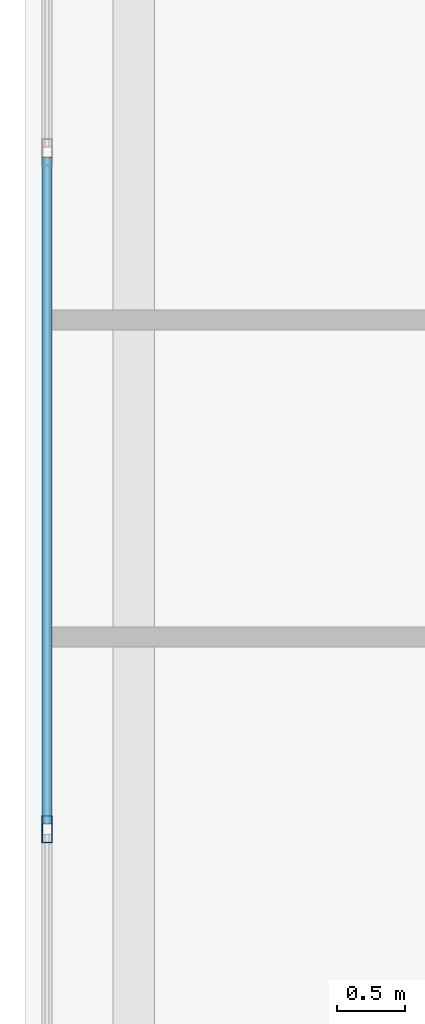
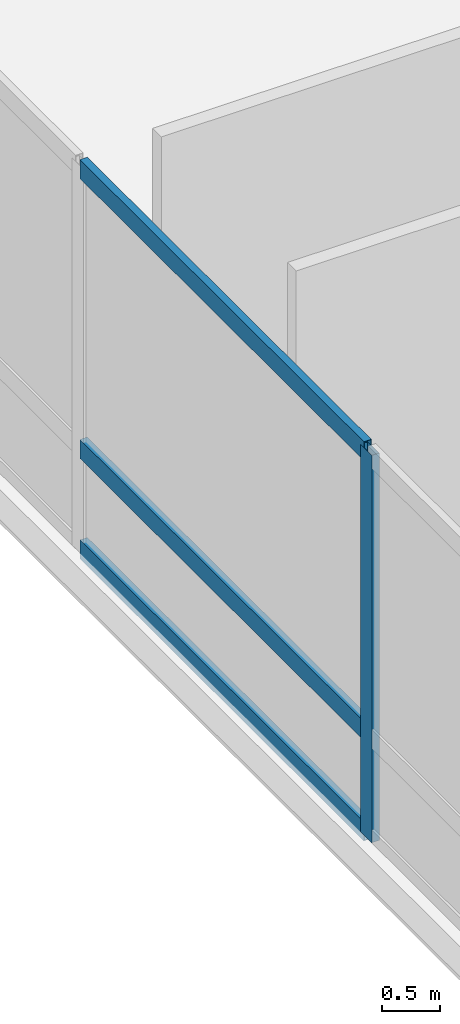
# One storey, part 6 of 31: 4 members, 1 element without a shape of its own.
"""IFC4 building model written with IfcOpenShell, lengths in metres."""

from ifc_helpers import new_model, si_unit, direction, frame, origin, origin_2d, place, context, subcontext, project, spatial, hollow_rectangle, extrude, material, layer, layer_set, material_profile, profile_set, type_object, element, aggregate, save


model = new_model("IFC4")

# Units and contexts
model_context = context("Model", 3, precision=1e-05, world=origin(), true_north=direction((0.0, 1.0)))
body_context = subcontext(model_context, "Body", "Model", "MODEL_VIEW")
ifc_project = project(units=[si_unit("LENGTHUNIT", "METRE"), si_unit("AREAUNIT", "SQUARE_METRE"), si_unit("VOLUMEUNIT", "CUBIC_METRE"), si_unit("PLANEANGLEUNIT", "RADIAN"), si_unit("MASSUNIT", "GRAM", prefix="KILO")], contexts=[model_context])

# Site, building, storey
site_placement = place(None, origin())
site = spatial("IfcSite", under=ifc_project, at=site_placement, CompositionType="ELEMENT")
building_placement = place(site_placement, origin())
building = spatial("IfcBuilding", under=site, at=building_placement, Name="Varnelok Gate Tower", CompositionType="ELEMENT")
storey_placement = place(building_placement, frame((0.0, 0.0, 21.60009765625)))
storey = spatial("IfcBuildingStorey", under=building, at=storey_placement, Name="L04", CompositionType="ELEMENT", Elevation=21.60009765625)

# Curtain wall, members
ifc_material = material(Name="Anodized Aluminum Alloy 6063-T6", Category="aluminium")
ifc_layer = layer(ifc_material, 0.179931640625)
ifc_layer_set = layer_set([ifc_layer], Name="Anodized Aluminum Alloy 6063-T6")
curtain_wall_type = type_object("IfcCurtainWallType", Name="CW1-ARCH-PORTAL", PredefinedType="USERDEFINED", material=ifc_layer_set)
curtain_wall_placement = place(storey_placement, origin())
curtain_wall = element("IfcCurtainWall", 1, at=curtain_wall_placement, inside=storey, type_object=curtain_wall_type, Name="L04 Podium Portal Curtain Wall W", ObjectType="UNITISED CURTAIN WALL", PredefinedType="USERDEFINED")
ifc_material_profile_1 = material_profile(ifc_material, hollow_rectangle(XDim=0.074951171875, YDim=0.199951171875, WallThickness=0.00390625, at=origin_2d()), Name="ALU200X75X4")
ifc_profile_set_1 = profile_set([ifc_material_profile_1], Name="Anodized Aluminum Alloy 6063-T6")
member_type_1 = type_object("IfcMemberType", Name="CW-MULL-200", PredefinedType="MULLION", material=ifc_profile_set_1)
member_1_placement = place(storey_placement, frame((0.159912109375, 25.199951171875, 0.0), z_axis=(0.0, 0.0, 1.0), x_axis=(-1.0, 0.0, 0.0)))
member_1 = element("IfcMember", 2, at=member_1_placement, type_object=member_type_1, Name="CW1 mullion 3", PredefinedType="MULLION", context=body_context, shape_type="SweptSolid", body=[
    extrude(hollow_rectangle(XDim=0.074951171875, YDim=0.199951171875, WallThickness=0.00390625, at=origin_2d()), origin(), (0.0, 0.0, 1.0), 4.099853515625),
])
ifc_material_profile_2 = material_profile(ifc_material, hollow_rectangle(XDim=0.074951171875, YDim=0.199951171875, WallThickness=0.00390625, at=origin_2d()), Name="ALU200X75X4")
ifc_profile_set_2 = profile_set([ifc_material_profile_2], Name="Anodized Aluminum Alloy 6063-T6")
member_type_2 = type_object("IfcMemberType", Name="CW-TRAN-200", PredefinedType="USERDEFINED", material=ifc_profile_set_2)
member_2_placement = place(storey_placement, frame((0.159912109375, 25.237548828125, 0.037353515625), z_axis=(0.0, 1.0, 0.0), x_axis=(-1.0, 0.0, 0.0)))
member_2 = element("IfcMember", 3, at=member_2_placement, type_object=member_type_2, Name="CW1 transom 3.1", ObjectType="TRANSOM", PredefinedType="USERDEFINED", context=body_context, shape_type="SweptSolid", body=[
    extrude(hollow_rectangle(XDim=0.074951171875, YDim=0.199951171875, WallThickness=0.00390625, at=origin_2d()), origin(), (0.0, 0.0, 1.0), 4.925048828125),
])
member_3_placement = place(storey_placement, frame((0.159912109375, 25.237548828125, 1.099853515625), z_axis=(0.0, 1.0, 0.0), x_axis=(-1.0, 0.0, 0.0)))
member_3 = element("IfcMember", 4, at=member_3_placement, type_object=member_type_2, Name="CW1 transom 3.2", ObjectType="TRANSOM", PredefinedType="USERDEFINED", context=body_context, shape_type="SweptSolid", body=[
    extrude(hollow_rectangle(XDim=0.074951171875, YDim=0.199951171875, WallThickness=0.00390625, at=origin_2d()), origin(), (0.0, 0.0, 1.0), 4.925048828125),
])
member_4_placement = place(storey_placement, frame((0.159912109375, 25.237548828125, 4.0625), z_axis=(0.0, 1.0, 0.0), x_axis=(-1.0, 0.0, 0.0)))
member_4 = element("IfcMember", 5, at=member_4_placement, type_object=member_type_2, Name="CW1 transom 3.3", ObjectType="TRANSOM", PredefinedType="USERDEFINED", context=body_context, shape_type="SweptSolid", body=[
    extrude(hollow_rectangle(XDim=0.074951171875, YDim=0.199951171875, WallThickness=0.00390625, at=origin_2d()), origin(), (0.0, 0.0, 1.0), 4.925048828125),
])
aggregate(curtain_wall, [member_1, member_2, member_3, member_4])

save(model, "model.ifc")
